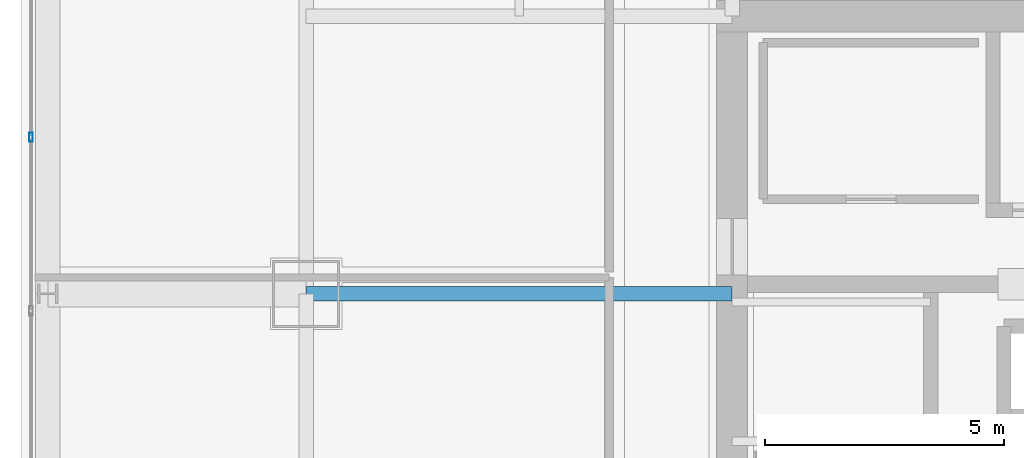
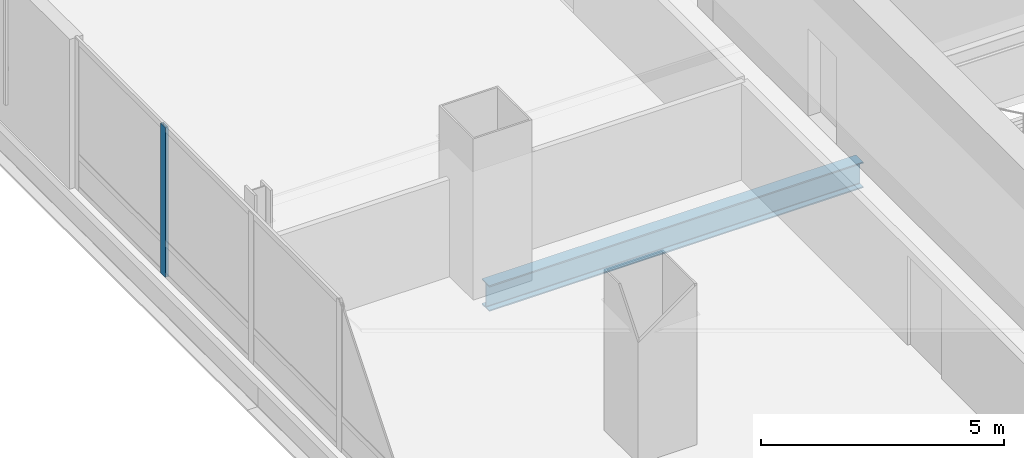
# One storey, part 11 of 46: 1 beam, 1 member, 1 element without a shape of its own.
"""IFC4 building model written with IfcOpenShell, lengths in metres."""

from ifc_helpers import new_model, si_unit, direction, frame, origin, origin_2d, place, context, subcontext, project, spatial, hollow_rectangle, i_section, extrude, material, material_profile, profile_set, type_object, element, aggregate, save


model = new_model("IFC4")

# Units and contexts
model_context = context("Model", 3, precision=1e-05, world=origin(), true_north=direction((0.0, 1.0)))
body_context = subcontext(model_context, "Body", "Model", "MODEL_VIEW")
ifc_project = project(units=[si_unit("LENGTHUNIT", "METRE"), si_unit("AREAUNIT", "SQUARE_METRE"), si_unit("VOLUMEUNIT", "CUBIC_METRE"), si_unit("PLANEANGLEUNIT", "RADIAN"), si_unit("MASSUNIT", "GRAM", prefix="KILO")], contexts=[model_context])

# Site, building, storey
site_placement = place(None, origin())
site = spatial("IfcSite", under=ifc_project, at=site_placement, CompositionType="ELEMENT")
building_placement = place(site_placement, origin())
building = spatial("IfcBuilding", under=site, at=building_placement, Name="Punatoya Terracotta Tower", CompositionType="ELEMENT")
storey_placement = place(building_placement, frame((0.0, 0.0, 200.550048828125)))
storey = spatial("IfcBuildingStorey", under=building, at=storey_placement, Name="L47", CompositionType="ELEMENT", Elevation=200.550048828125)

# Beam
ifc_material_1 = material(Name="Steel S355", Category="steel")
ifc_material_profile_1 = material_profile(ifc_material_1, i_section(OverallWidth=0.300048828125, OverallDepth=0.64990234375, WebThickness=0.01611328125, FlangeThickness=0.031005859375, FilletRadius=0.01806640625, at=origin_2d()))
ifc_profile_set_1 = profile_set([ifc_material_profile_1], Name="Steel S355")
beam_type = type_object("IfcBeamType", Name="BM-PRI-650", PredefinedType="BEAM", material=ifc_profile_set_1)
beam_placement = place(storey_placement, frame((-19.10009765625, 3.39990234375, -0.545166015625), z_axis=(1.0, 0.0, 0.0), x_axis=(0.0, 1.0, 0.0)))
element("IfcBeam", 1, at=beam_placement, inside=storey, type_object=beam_type, Name="BM-L47-PR-WE", PredefinedType="BEAM", context=body_context, shape_type="SweptSolid", body=[
    extrude(i_section(OverallWidth=0.300048828125, OverallDepth=0.64990234375, WebThickness=0.01611328125, FlangeThickness=0.031005859375, FilletRadius=0.01806640625, at=origin_2d()), origin(), (0.0, 0.0, 1.0), 8.900146484375),
])

# Curtain wall, member
ifc_material_2 = material(Name="Aluminium 6063-T6 + Double Low-E Glass", Category="aluminium")
curtain_wall_type = type_object("IfcCurtainWallType", Name="CW-M2", PredefinedType="NOTDEFINED", material=ifc_material_2)
curtain_wall_placement = place(storey_placement, origin())
curtain_wall = element("IfcCurtainWall", 2, at=curtain_wall_placement, inside=storey, type_object=curtain_wall_type, Name="L47 Curtain Wall CW-L47-W13-1", PredefinedType="NOTDEFINED")
ifc_material_3 = material(Name="Aluminium 6063-T6", Category="aluminium")
ifc_material_profile_2 = material_profile(ifc_material_3, hollow_rectangle(XDim=0.072021484375, YDim=0.195068359375, WallThickness=0.00439453125, at=origin_2d()))
ifc_profile_set_2 = profile_set([ifc_material_profile_2], Name="Aluminium 6063-T6")
member_type = type_object("IfcMemberType", Name="CW-MUL-M2", PredefinedType="MULLION", material=ifc_profile_set_2)
member_placement = place(storey_placement, frame((-24.85009765625, 6.67138671875, 0.0), z_axis=(0.0, 0.0, 1.0), x_axis=(1.0, 0.0, 0.0)))
member = element("IfcMember", 3, at=member_placement, type_object=member_type, Name="CW-L47-W13-1 Mullion 01", PredefinedType="MULLION", context=body_context, shape_type="SweptSolid", body=[
    extrude(hollow_rectangle(XDim=0.072021484375, YDim=0.195068359375, WallThickness=0.00439453125, at=origin_2d()), origin(), (0.0, 0.0, 1.0), 3.77001953125),
])
aggregate(curtain_wall, [member])

save(model, "model.ifc")
